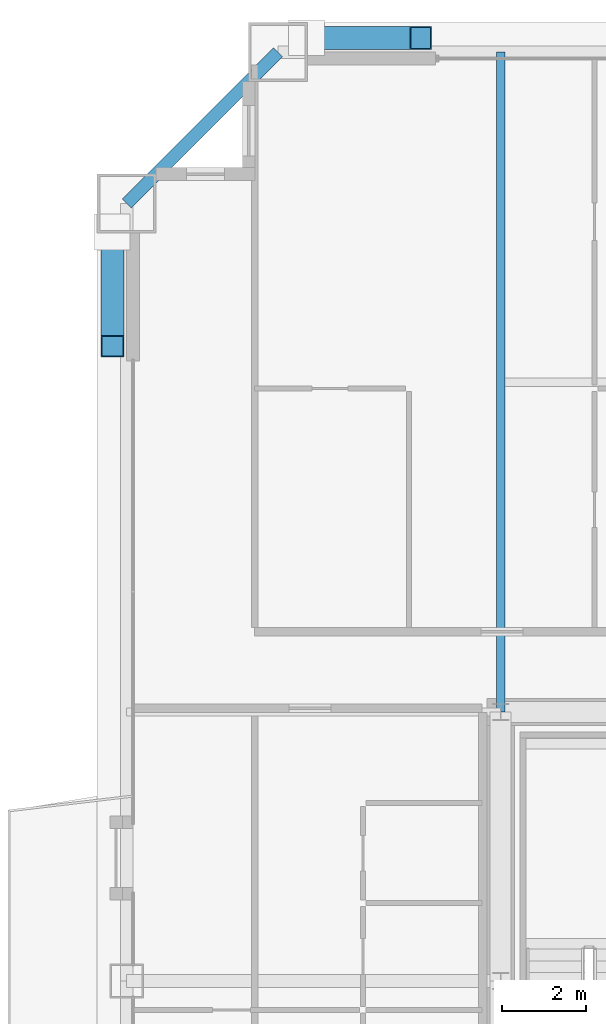
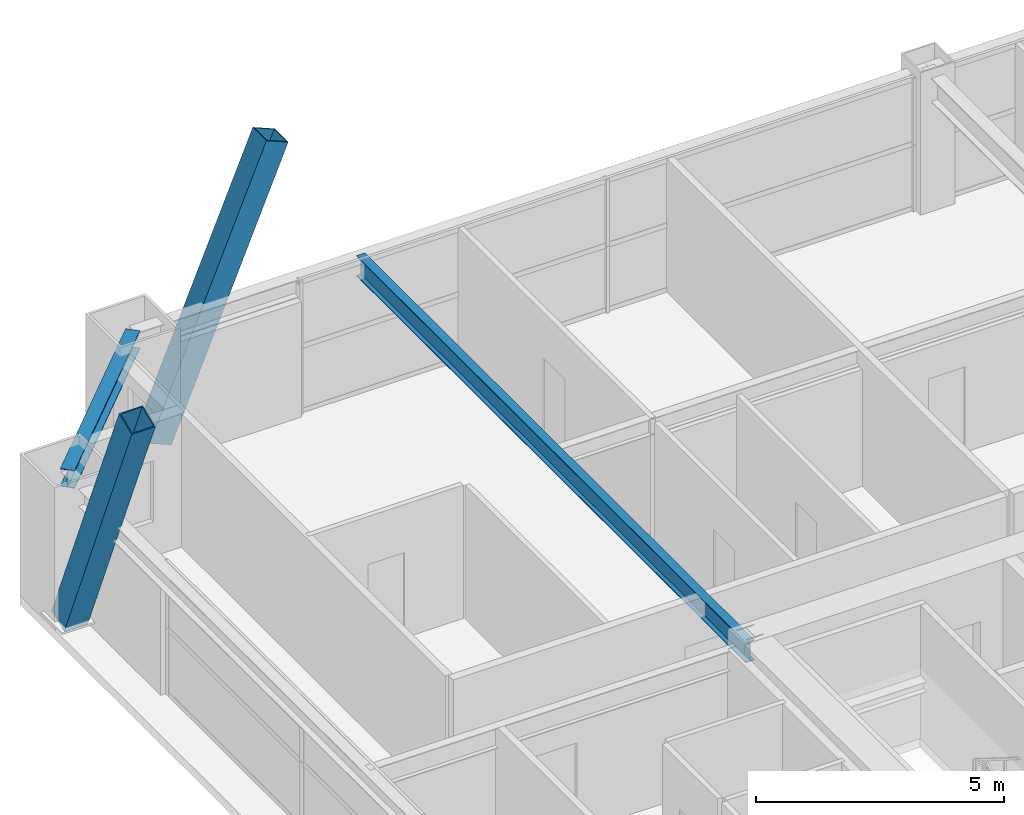
# One storey, part 26 of 42: 2 beams, 2 members.
"""IFC4 building model written with IfcOpenShell, lengths in metres."""

from ifc_helpers import new_model, si_unit, direction, frame, origin, origin_2d, place, context, subcontext, project, spatial, hollow_rectangle, i_section, extrude, source, transform, mapped, material, material_profile, profile_set, type_object, element, save


model = new_model("IFC4")

# Units and contexts
model_context = context("Model", 3, precision=1e-05, world=origin(), true_north=direction((0.0, 1.0)))
body_context = subcontext(model_context, "Body", "Model", "MODEL_VIEW")
ifc_project = project(units=[si_unit("LENGTHUNIT", "METRE"), si_unit("AREAUNIT", "SQUARE_METRE"), si_unit("VOLUMEUNIT", "CUBIC_METRE"), si_unit("PLANEANGLEUNIT", "RADIAN"), si_unit("MASSUNIT", "GRAM", prefix="KILO"), si_unit("THERMODYNAMICTEMPERATUREUNIT", "KELVIN"), si_unit("POWERUNIT", "WATT")], contexts=[model_context])

# Site, building, storey
site_placement = place(None, origin())
site = spatial("IfcSite", under=ifc_project, at=site_placement, CompositionType="ELEMENT")
building_placement = place(site_placement, origin())
building = spatial("IfcBuilding", under=site, at=building_placement, Name="Yuzanri Waterfront Tower", CompositionType="ELEMENT")
storey_placement = place(building_placement, frame((0.0, 0.0, 205.5)))
storey = spatial("IfcBuildingStorey", under=building, at=storey_placement, Name="L54", CompositionType="ELEMENT", Elevation=205.5)

# Beams
ifc_material_1 = material(Name="Steel Q355B", Category="steel")
ifc_material_profile_1 = material_profile(ifc_material_1, i_section(OverallWidth=0.300048828125, OverallDepth=0.43994140625, WebThickness=0.010986328125, FlangeThickness=0.01806640625, at=origin_2d()), Name="HM 440x300x11x18")
ifc_profile_set_1 = profile_set([ifc_material_profile_1], Name="Steel Q355B")
beam_type_1 = type_object("IfcBeamType", Name="Perimeter Spandrel Q355B HM 440x300", PredefinedType="SPANDREL", material=ifc_profile_set_1)
shared_shape_1 = source(origin(), body_context, "Body", "SweptSolid", [
    extrude(i_section(OverallWidth=0.300048828125, OverallDepth=0.43994140625, WebThickness=0.010986328125, FlangeThickness=0.01806640625, at=origin_2d()), origin(), (0.0, 0.0, 1.0), 5.091064453125),
])
beam_1_placement = place(storey_placement, frame((18.5, 47.89990234375, 3.06005859375), z_axis=(-0.707130757816, -0.707082803744, 0.0), x_axis=(0.707082803744, -0.707130757816, 0.0)))
element("IfcBeam", 1, at=beam_1_placement, inside=storey, type_object=beam_type_1, Name="L54 Perimeter Spandrel N1-W3", PredefinedType="SPANDREL", context=body_context, shape_type="MappedRepresentation", body=[
    mapped(shared_shape_1, transform((0.0, 0.0, 0.0), scale=1.0)),
])
ifc_material_2 = material(Name="Steel Q355B", Category="steel")
ifc_material_profile_2 = material_profile(ifc_material_2, i_section(OverallWidth=0.199951171875, OverallDepth=0.5, WebThickness=0.010009765625, FlangeThickness=0.01611328125, at=origin_2d()), Name="HN 500x200x10x16")
ifc_profile_set_2 = profile_set([ifc_material_profile_2], Name="Steel Q355B")
beam_type_2 = type_object("IfcBeamType", Name="Secondary Floor Beam Q355B HN 500x200", PredefinedType="BEAM", material=ifc_profile_set_2)
shared_shape_2 = source(origin(), body_context, "Body", "SweptSolid", [
    extrude(i_section(OverallWidth=0.199951171875, OverallDepth=0.5, WebThickness=0.010009765625, FlangeThickness=0.01611328125, at=origin_2d()), origin(), (0.0, 0.0, 1.0), 15.699951171875),
])
beam_2_placement = place(storey_placement, frame((23.800048828125, 32.199951171875, 3.030029296875), z_axis=(0.0, 1.0, 0.0), x_axis=(-1.0, 0.0, 0.0)))
element("IfcBeam", 2, at=beam_2_placement, inside=storey, type_object=beam_type_2, Name="L54 North-West Core Line Beam", PredefinedType="BEAM", context=body_context, shape_type="MappedRepresentation", body=[
    mapped(shared_shape_2, transform((0.0, 0.0, 0.0), scale=1.0)),
])

# Members
ifc_material_3 = material(Name="Steel Q390GJC", Category="steel")
ifc_material_profile_3 = material_profile(ifc_material_3, hollow_rectangle(XDim=0.550048828125, YDim=0.550048828125, WallThickness=0.02490234375, at=origin_2d()), Name="RHS 550x550x25")
ifc_profile_set_3 = profile_set([ifc_material_profile_3], Name="Steel Q390GJC")
member_type = type_object("IfcMemberType", Name="Mega Brace Mid Q390GJC RHS 550x550x25", PredefinedType="BRACE", material=ifc_profile_set_3)
shared_shape_3 = source(origin(), body_context, "Body", "SweptSolid", [
    extrude(hollow_rectangle(XDim=0.550048828125, YDim=0.550048828125, WallThickness=0.02490234375, at=origin_2d()), origin(), (0.0, 0.0, 1.0), 7.046142578125),
])
for number, where, z_axis, x_axis, name in (
    (3, (19.179931640625, 48.239990234375, 0.179931640625), (0.386022211732, 0.0, 0.922489486146), (0.0, 1.0, 0.0), "L54-L55 Perimeter Mega-Brace N-L"),
    (4, (14.56005859375, 43.6201171875, 0.179931640625), (0.0, -0.386051696808, 0.922477147355), (1.0, 0.0, 0.0), "L54-L55 Perimeter Mega-Brace W-R"),
):
    element("IfcMember", number, at=place(storey_placement, frame(where, z_axis=z_axis, x_axis=x_axis)), inside=storey, type_object=member_type, Name=name, PredefinedType="BRACE", context=body_context, shape_type="MappedRepresentation", body=[
        mapped(shared_shape_3, transform((0.0, 0.0, 0.0), scale=1.0)),
    ])

save(model, "model.ifc")
